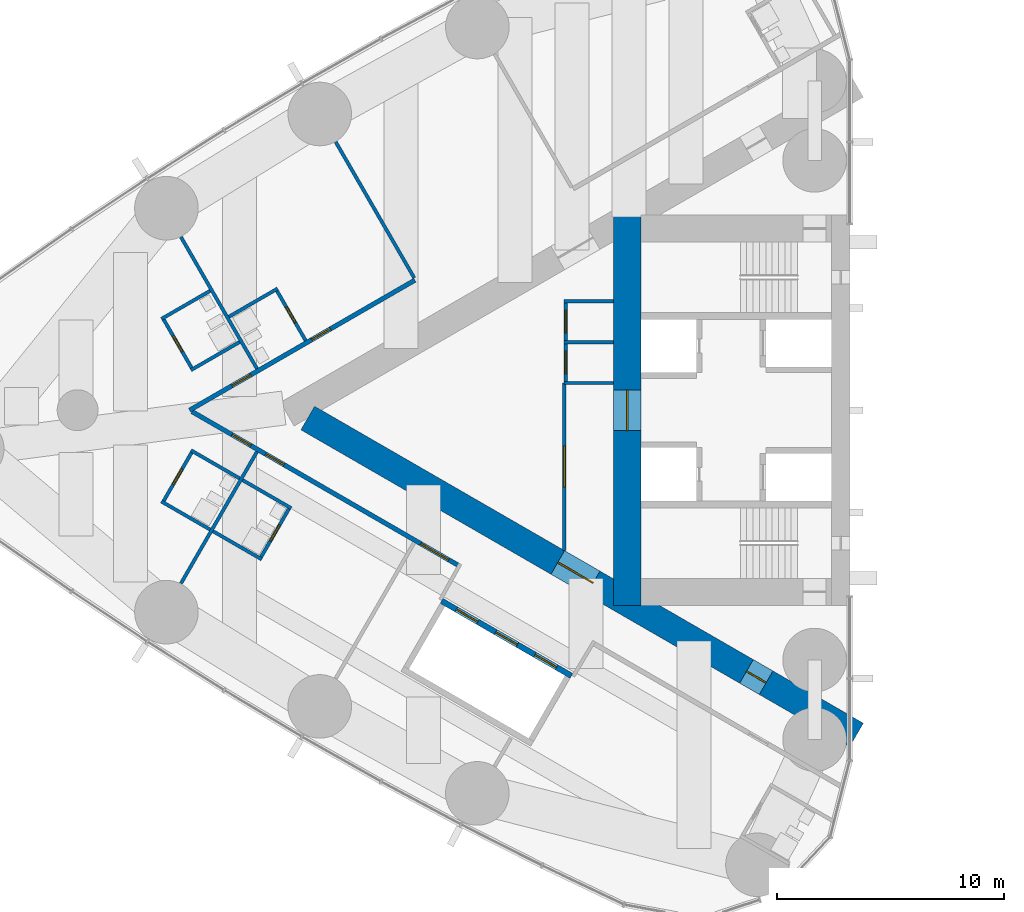
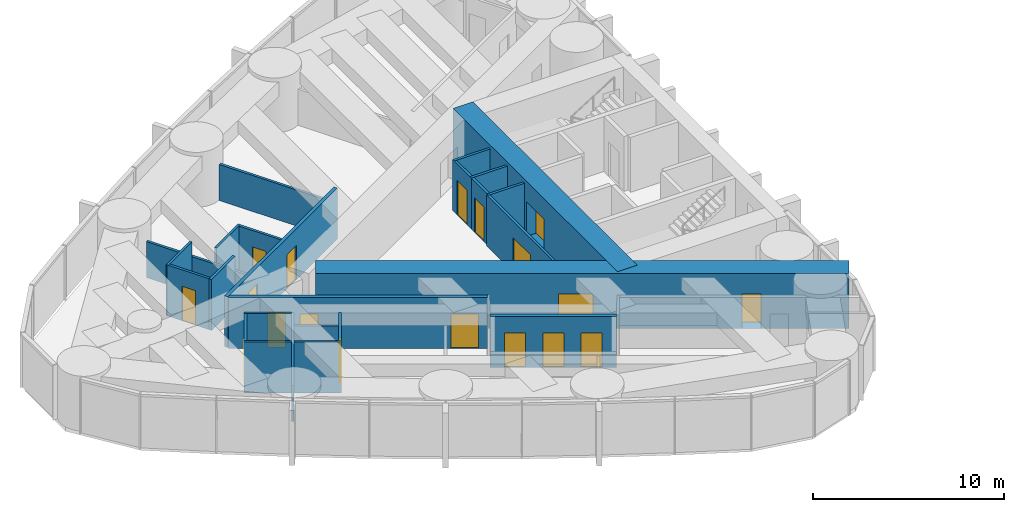
# One storey, part 12 of 19: 25 walls, 18 doors, 18 openings.
"""IFC4 building model written with IfcOpenShell, lengths in metres."""

from ifc_helpers import new_model, si_unit, direction, frame, frame_2d, origin, place, context, subcontext, project, spatial, rectangle, extrude, material, layer, layer_set, type_object, element, fill, save


model = new_model("IFC4")

# Units and contexts
model_context = context("Model", 3, precision=1e-05, world=origin(), true_north=direction((0.0, 1.0)))
body_context = subcontext(model_context, "Body", "Model", "MODEL_VIEW")
ifc_project = project(units=[si_unit("LENGTHUNIT", "METRE"), si_unit("AREAUNIT", "SQUARE_METRE"), si_unit("VOLUMEUNIT", "CUBIC_METRE"), si_unit("PLANEANGLEUNIT", "RADIAN"), si_unit("MASSUNIT", "GRAM", prefix="KILO")], contexts=[model_context])

# Site, building, storey
site_placement = place(None, origin())
site = spatial("IfcSite", under=ifc_project, at=site_placement, CompositionType="ELEMENT")
building_placement = place(site_placement, origin())
building = spatial("IfcBuilding", under=site, at=building_placement, Name="Lancet Gate Hotel", CompositionType="ELEMENT")
storey_placement = place(building_placement, frame((0.0, 0.0, 163.300048828125)))
storey = spatial("IfcBuildingStorey", under=building, at=storey_placement, Name="L43", CompositionType="ELEMENT", Elevation=163.300048828125)

# Wall
ifc_material_1 = material(Name="Moisture resistant board partition")
ifc_layer_1 = layer(ifc_material_1, 0.14990234375)
ifc_layer_set_1 = layer_set([ifc_layer_1], Name="Bathroom wall 150")
wall_type_1 = type_object("IfcWallType", Name="Bathroom wall 150", PredefinedType="PARTITIONING", material=ifc_layer_set_1)
wall_1_placement = place(storey_placement, frame((-52.693603515625, 5.354736328125, 0.0), z_axis=(0.0, 0.0, 1.0), x_axis=(-0.866031185235, -0.4999899861, 0.0)))
element("IfcWall", 1, at=wall_1_placement, inside=storey, type_object=wall_type_1, Name="T1 bathroom wall 150 L43", PredefinedType="PARTITIONING", context=body_context, shape_type="SweptSolid", body=[
    extrude(rectangle(XDim=2.47509765625, YDim=0.14990234375, at=frame_2d((1.237548828125, 0.0))), origin(), (0.0, 0.0, 1.0), 3.25),
])

# Wall, opening, door
wall_2_placement = place(storey_placement, frame((-51.458740234375, 3.0654296875, 0.0), z_axis=(0.0, 0.0, 1.0), x_axis=(-0.499936506574, 0.866062058628, 0.0)))
wall_2 = element("IfcWall", 2, at=wall_2_placement, inside=storey, type_object=wall_type_1, Name="T1 bathroom wall 150 L43", PredefinedType="PARTITIONING", context=body_context, shape_type="SweptSolid", body=[
    extrude(rectangle(XDim=2.599853515625, YDim=0.14990234375, at=frame_2d((1.2998046875, 0.0))), origin(), (0.0, 0.0, 1.0), 3.25),
])
opening_1_placement = place(wall_2_placement, frame((0.89990234375, 0.0, 0.0)))
opening_1 = element("IfcOpeningElement", 3, at=opening_1_placement, cuts=wall_2, Name="Opening 4303-B", PredefinedType="OPENING", context=body_context, shape_type="SweptSolid", body=[
    extrude(rectangle(XDim=0.800048828125, YDim=2.199951171875, at=frame_2d((0.39990234375, 1.10009765625))), frame((0.0, 0.0849609375, 0.0), z_axis=(0.0, -1.0, 0.0), x_axis=(1.0, 0.0, 0.0)), (0.0, 0.0, 1.0), 0.169921875),
])
ifc_material_2 = material(Name="Timber door set", Category="wood")
door_type_1 = type_object("IfcDoorType", Name="Bathroom door 800", OperationType="SINGLE_SWING_RIGHT", PredefinedType="DOOR", material=ifc_material_2)
door_1_placement = place(opening_1_placement, origin())
door_1 = element("IfcDoor", 4, at=door_1_placement, inside=storey, type_object=door_type_1, Name="4303-B", OperationType="SINGLE_SWING_RIGHT", OverallHeight=2.199951171875, OverallWidth=0.800048828125, PredefinedType="DOOR", context=body_context, shape_type="SweptSolid", body=[
    extrude(rectangle(XDim=0.800048828125, YDim=2.199951171875, at=frame_2d((0.39990234375, 1.10009765625))), frame((0.0, 0.02490234375, 0.0), z_axis=(0.0, -1.0, 0.0), x_axis=(1.0, 0.0, 0.0)), (0.0, 0.0, 1.0), 0.050048828125),
])
fill(opening_1, door_1)

# Wall
wall_3_placement = place(storey_placement, frame((-55.6669921875, 5.254638671875, 0.0), z_axis=(0.0, 0.0, 1.0), x_axis=(-0.866006523861, -0.500032699561, 0.0)))
element("IfcWall", 5, at=wall_3_placement, inside=storey, type_object=wall_type_1, Name="T1 bathroom wall 150 L43", PredefinedType="PARTITIONING", context=body_context, shape_type="SweptSolid", body=[
    extrude(rectangle(XDim=2.474853515625, YDim=0.14990234375, at=frame_2d((1.2373046875, 0.0))), origin(), (0.0, 0.0, 1.0), 3.25),
])

# Wall, opening, door
wall_4_placement = place(storey_placement, frame((-56.445556640625, 1.802978515625, 0.0), z_axis=(0.0, 0.0, 1.0), x_axis=(-0.499936506574, 0.866062058628, 0.0)))
wall_4 = element("IfcWall", 6, at=wall_4_placement, inside=storey, type_object=wall_type_1, Name="T1 bathroom wall 150 L43", PredefinedType="PARTITIONING", context=body_context, shape_type="SweptSolid", body=[
    extrude(rectangle(XDim=2.599853515625, YDim=0.14990234375, at=frame_2d((1.2998046875, 0.0))), origin(), (0.0, 0.0, 1.0), 3.25),
])
opening_2_placement = place(wall_4_placement, frame((0.89990234375, 0.0, 0.0)))
opening_2 = element("IfcOpeningElement", 7, at=opening_2_placement, cuts=wall_4, Name="Opening 4304-B", PredefinedType="OPENING", context=body_context, shape_type="SweptSolid", body=[
    extrude(rectangle(XDim=0.800048828125, YDim=2.199951171875, at=frame_2d((0.39990234375, 1.10009765625))), frame((0.0, 0.0849609375, 0.0), z_axis=(0.0, -1.0, 0.0), x_axis=(1.0, 0.0, 0.0)), (0.0, 0.0, 1.0), 0.169921875),
])
door_2_placement = place(opening_2_placement, origin())
door_2 = element("IfcDoor", 8, at=door_2_placement, inside=storey, type_object=door_type_1, Name="4304-B", OperationType="SINGLE_SWING_RIGHT", OverallHeight=2.199951171875, OverallWidth=0.800048828125, PredefinedType="DOOR", context=body_context, shape_type="SweptSolid", body=[
    extrude(rectangle(XDim=0.800048828125, YDim=2.199951171875, at=frame_2d((0.39990234375, 1.10009765625))), frame((0.0, 0.02490234375, 0.0), z_axis=(0.0, -1.0, 0.0), x_axis=(1.0, 0.0, 0.0)), (0.0, 0.0, 1.0), 0.050048828125),
])
fill(opening_2, door_2)

# Walls
wall_5_placement = place(storey_placement, frame((-54.366943359375, 3.0029296875, 0.0), z_axis=(0.0, 0.0, 1.0), x_axis=(-0.866031185235, -0.4999899861, 0.0)))
element("IfcWall", 9, at=wall_5_placement, inside=storey, type_object=wall_type_1, Name="T1 bathroom wall 150 L43", PredefinedType="PARTITIONING", context=body_context, shape_type="SweptSolid", body=[
    extrude(rectangle(XDim=2.47509765625, YDim=0.14990234375, at=frame_2d((1.237548828125, 0.0))), origin(), (0.0, 0.0, 1.0), 3.25),
])
wall_6_placement = place(storey_placement, frame((-55.6669921875, -5.254638671875, 0.0), z_axis=(0.0, 0.0, 1.0), x_axis=(-0.866006523861, 0.500032699561, 0.0)))
element("IfcWall", 10, at=wall_6_placement, inside=storey, type_object=wall_type_1, Name="T1 bathroom wall 150 L43", PredefinedType="PARTITIONING", context=body_context, shape_type="SweptSolid", body=[
    extrude(rectangle(XDim=2.474853515625, YDim=0.14990234375, at=frame_2d((1.2373046875, 0.0))), origin(), (0.0, 0.0, 1.0), 3.25),
])

# Wall, opening, door
wall_7_placement = place(storey_placement, frame((-56.445556640625, -1.802978515625, 0.0), z_axis=(0.0, 0.0, 1.0), x_axis=(-0.499936506574, -0.866062058628, 0.0)))
wall_7 = element("IfcWall", 11, at=wall_7_placement, inside=storey, type_object=wall_type_1, Name="T1 bathroom wall 150 L43", PredefinedType="PARTITIONING", context=body_context, shape_type="SweptSolid", body=[
    extrude(rectangle(XDim=2.599853515625, YDim=0.14990234375, at=frame_2d((1.2998046875, 0.0))), origin(), (0.0, 0.0, 1.0), 3.25),
])
opening_3_placement = place(wall_7_placement, frame((0.89990234375, 0.0, 0.0)))
opening_3 = element("IfcOpeningElement", 12, at=opening_3_placement, cuts=wall_7, Name="Opening 4305-B", PredefinedType="OPENING", context=body_context, shape_type="SweptSolid", body=[
    extrude(rectangle(XDim=0.800048828125, YDim=2.199951171875, at=frame_2d((0.39990234375, 1.10009765625))), frame((0.0, 0.0849609375, 0.0), z_axis=(0.0, -1.0, 0.0), x_axis=(1.0, 0.0, 0.0)), (0.0, 0.0, 1.0), 0.169921875),
])
door_3_placement = place(opening_3_placement, origin())
door_3 = element("IfcDoor", 13, at=door_3_placement, inside=storey, type_object=door_type_1, Name="4305-B", OperationType="SINGLE_SWING_RIGHT", OverallHeight=2.199951171875, OverallWidth=0.800048828125, PredefinedType="DOOR", context=body_context, shape_type="SweptSolid", body=[
    extrude(rectangle(XDim=0.800048828125, YDim=2.199951171875, at=frame_2d((0.39990234375, 1.10009765625))), frame((0.0, 0.02490234375, 0.0), z_axis=(0.0, -1.0, 0.0), x_axis=(1.0, 0.0, 0.0)), (0.0, 0.0, 1.0), 0.050048828125),
])
fill(opening_3, door_3)

# Walls
for number, where, z_axis, x_axis, name in (
    (14, (-54.366943359375, -3.0029296875, 0.0), (0.0, 0.0, 1.0), (-0.866031185235, 0.4999899861, 0.0), "T1 bathroom wall 150 L43"),
    (15, (-53.3935546875, -6.567138671875, 0.0), (0.0, 0.0, 1.0), (-0.866031185235, 0.4999899861, 0.0), "T1 bathroom wall 150 L43"),
):
    element("IfcWall", number, at=place(storey_placement, frame(where, z_axis=z_axis, x_axis=x_axis)), inside=storey, type_object=wall_type_1, Name=name, PredefinedType="PARTITIONING", context=body_context, shape_type="SweptSolid", body=[
        extrude(rectangle(XDim=2.47509765625, YDim=0.14990234375, at=frame_2d((1.237548828125, 0.0))), origin(), (0.0, 0.0, 1.0), 3.25),
    ])

# Wall, opening, door
wall_8_placement = place(storey_placement, frame((-52.15869140625, -4.278076171875, 0.0), z_axis=(0.0, 0.0, 1.0), x_axis=(-0.500047596559, -0.865997922154, 0.0)))
wall_8 = element("IfcWall", 16, at=wall_8_placement, inside=storey, type_object=wall_type_1, Name="T1 bathroom wall 150 L43", PredefinedType="PARTITIONING", context=body_context, shape_type="SweptSolid", body=[
    extrude(rectangle(XDim=2.599853515625, YDim=0.14990234375, at=frame_2d((1.2998046875, 0.0))), origin(), (0.0, 0.0, 1.0), 3.25),
])
opening_4_placement = place(wall_8_placement, frame((0.89990234375, 0.0, 0.0)))
opening_4 = element("IfcOpeningElement", 17, at=opening_4_placement, cuts=wall_8, Name="Opening 4306-B", PredefinedType="OPENING", context=body_context, shape_type="SweptSolid", body=[
    extrude(rectangle(XDim=0.800048828125, YDim=2.199951171875, at=frame_2d((0.39990234375, 1.10009765625))), frame((0.0, 0.0849609375, 0.0), z_axis=(0.0, -1.0, 0.0), x_axis=(1.0, 0.0, 0.0)), (0.0, 0.0, 1.0), 0.169921875),
])
door_4_placement = place(opening_4_placement, origin())
door_4 = element("IfcDoor", 18, at=door_4_placement, inside=storey, type_object=door_type_1, Name="4306-B", OperationType="SINGLE_SWING_RIGHT", OverallHeight=2.199951171875, OverallWidth=0.800048828125, PredefinedType="DOOR", context=body_context, shape_type="SweptSolid", body=[
    extrude(rectangle(XDim=0.800048828125, YDim=2.199951171875, at=frame_2d((0.39990234375, 1.10009765625))), frame((0.0, 0.02490234375, 0.0), z_axis=(0.0, -1.0, 0.0), x_axis=(1.0, 0.0, 0.0)), (0.0, 0.0, 1.0), 0.050048828125),
])
fill(opening_4, door_4)

# Wall
wall_9_placement = place(storey_placement, frame((-52.09375, -4.3154296875, 0.0), z_axis=(0.0, 0.0, 1.0), x_axis=(-0.866006523861, 0.500032699561, 0.0)))
element("IfcWall", 19, at=wall_9_placement, inside=storey, type_object=wall_type_1, Name="T1 bathroom wall 150 L43", PredefinedType="PARTITIONING", context=body_context, shape_type="SweptSolid", body=[
    extrude(rectangle(XDim=2.474853515625, YDim=0.14990234375, at=frame_2d((1.2373046875, 0.0))), origin(), (0.0, 0.0, 1.0), 2.449951171875),
])

# Wall, openings, doors
ifc_material_3 = material(Name="Concrete C70/85", Category="concrete")
ifc_layer_2 = layer(ifc_material_3, 1.199951171875)
ifc_layer_set_2 = layer_set([ifc_layer_2], Name="Buttress wall 1200")
wall_type_2 = type_object("IfcWallType", Name="Buttress wall 1200", PredefinedType="SHEAR", material=ifc_layer_set_2)
wall_10_placement = place(storey_placement, frame((-27.199951171875, -14.300048828125, 0.0), z_axis=(0.0, 0.0, 1.0), x_axis=(-0.866024021859, 0.500002393557, 0.0)))
wall_10 = element("IfcWall", 20, at=wall_10_placement, inside=storey, type_object=wall_type_2, Name="T1 buttress wall N L43", PredefinedType="SHEAR", context=body_context, shape_type="SweptSolid", body=[
    extrude(rectangle(XDim=27.906982421875, YDim=1.199951171875, at=frame_2d((13.95361328125, 0.0))), origin(), (0.0, 0.0, 1.0), 3.5),
])
opening_5_placement = place(wall_10_placement, frame((4.60009765625, 0.0, 0.0)))
opening_5 = element("IfcOpeningElement", 21, at=opening_5_placement, cuts=wall_10, Name="Opening T1-L43-LN", PredefinedType="OPENING", context=body_context, shape_type="SweptSolid", body=[
    extrude(rectangle(XDim=1.0, YDim=2.199951171875, at=frame_2d((0.5, 1.10009765625))), frame((0.0, 0.60986328125, 0.0), z_axis=(0.0, -1.0, 0.0), x_axis=(1.0, 0.0, 0.0)), (0.0, 0.0, 1.0), 1.219970703125),
])
opening_6_placement = place(wall_10_placement, frame((13.39453125, 0.0, 0.0)))
opening_6 = element("IfcOpeningElement", 22, at=opening_6_placement, cuts=wall_10, Name="Opening T1-L43-LHN", PredefinedType="OPENING", context=body_context, shape_type="SweptSolid", body=[
    extrude(rectangle(XDim=1.800048828125, YDim=2.199951171875, at=frame_2d((0.89990234375, 1.10009765625))), frame((0.0, 0.60986328125, 0.0), z_axis=(0.0, -1.0, 0.0), x_axis=(1.0, 0.0, 0.0)), (0.0, 0.0, 1.0), 1.219970703125),
])
ifc_material_4 = material(Name="Timber door set", Category="wood")
door_type_2 = type_object("IfcDoorType", Name="Lobby double door 1800", OperationType="DOUBLE_DOOR_SINGLE_SWING", PredefinedType="DOOR", material=ifc_material_4)
door_5_placement = place(opening_6_placement, origin())
door_5 = element("IfcDoor", 23, at=door_5_placement, inside=storey, type_object=door_type_2, Name="T1-L43-LHN", OperationType="DOUBLE_DOOR_SINGLE_SWING", OverallHeight=2.199951171875, OverallWidth=1.800048828125, PredefinedType="DOOR", context=body_context, shape_type="SweptSolid", body=[
    extrude(rectangle(XDim=1.800048828125, YDim=2.199951171875, at=frame_2d((0.89990234375, 1.10009765625))), frame((0.0, 0.02490234375, 0.0), z_axis=(0.0, -1.0, 0.0), x_axis=(1.0, 0.0, 0.0)), (0.0, 0.0, 1.0), 0.050048828125),
])
fill(opening_6, door_5)
ifc_material_5 = material(Name="Timber door set", Category="wood")
door_type_3 = type_object("IfcDoorType", Name="Stair lobby door 1000", OperationType="SINGLE_SWING_LEFT", PredefinedType="DOOR", material=ifc_material_5)
door_6_placement = place(opening_5_placement, origin())
door_6 = element("IfcDoor", 24, at=door_6_placement, inside=storey, type_object=door_type_3, Name="T1-L43-LN", OperationType="SINGLE_SWING_LEFT", OverallHeight=2.199951171875, OverallWidth=1.0, PredefinedType="DOOR", context=body_context, shape_type="SweptSolid", body=[
    extrude(rectangle(XDim=1.0, YDim=2.199951171875, at=frame_2d((0.5, 1.10009765625))), frame((0.0, 0.02490234375, 0.0), z_axis=(0.0, -1.0, 0.0), x_axis=(1.0, 0.0, 0.0)), (0.0, 0.0, 1.0), 0.050048828125),
])
fill(opening_5, door_6)

# Wall, opening, door
ifc_material_6 = material(Name="Concrete C70/85", Category="concrete")
ifc_layer_3 = layer(ifc_material_6, 1.199951171875)
ifc_layer_set_3 = layer_set([ifc_layer_3], Name="Core wall 1200")
wall_type_3 = type_object("IfcWallType", Name="Core wall 1200", PredefinedType="SHEAR", material=ifc_layer_set_3)
wall_11_placement = place(storey_placement, frame((-37.300048828125, 8.60009765625, 0.0), z_axis=(0.0, 0.0, 1.0), x_axis=(0.0, -1.0, 0.0)))
wall_11 = element("IfcWall", 25, at=wall_11_placement, inside=storey, type_object=wall_type_3, Name="T1 core wall back L43", PredefinedType="SHEAR", context=body_context, shape_type="SweptSolid", body=[
    extrude(rectangle(XDim=17.2001953125, YDim=1.199951171875, at=frame_2d((8.60009765625, 0.0))), origin(), (0.0, 0.0, 1.0), 3.5),
])
opening_7_placement = place(wall_11_placement, frame((7.699951171875, 0.0, 0.0)))
opening_7 = element("IfcOpeningElement", 26, at=opening_7_placement, cuts=wall_11, Name="Opening T1-L43-LL", PredefinedType="OPENING", context=body_context, shape_type="SweptSolid", body=[
    extrude(rectangle(XDim=1.800048828125, YDim=2.199951171875, at=frame_2d((0.89990234375, 1.10009765625))), frame((0.0, 0.60986328125, 0.0), z_axis=(0.0, -1.0, 0.0), x_axis=(1.0, 0.0, 0.0)), (0.0, 0.0, 1.0), 1.219970703125),
])
door_7_placement = place(opening_7_placement, origin())
door_7 = element("IfcDoor", 27, at=door_7_placement, inside=storey, type_object=door_type_2, Name="T1-L43-LL", OperationType="DOUBLE_DOOR_SINGLE_SWING", OverallHeight=2.199951171875, OverallWidth=1.800048828125, PredefinedType="DOOR", context=body_context, shape_type="SweptSolid", body=[
    extrude(rectangle(XDim=1.800048828125, YDim=2.199951171875, at=frame_2d((0.89990234375, 1.10009765625))), frame((0.0, 0.02490234375, 0.0), z_axis=(0.0, -1.0, 0.0), x_axis=(1.0, 0.0, 0.0)), (0.0, 0.0, 1.0), 0.050048828125),
])
fill(opening_7, door_7)

# Wall, openings, doors
ifc_material_7 = material(Name="Gypsum board partition")
ifc_layer_4 = layer(ifc_material_7, 0.199951171875)
ifc_layer_set_4 = layer_set([ifc_layer_4], Name="Corridor wall 200")
wall_type_4 = type_object("IfcWallType", Name="Corridor wall 200", PredefinedType="PARTITIONING", material=ifc_layer_set_4)
wall_12_placement = place(storey_placement, frame((-44.715087890625, -6.843505859375, 0.0), z_axis=(0.0, 0.0, 1.0), x_axis=(-0.866025261224, 0.500000246922, 0.0)))
wall_12 = element("IfcWall", 28, at=wall_12_placement, inside=storey, type_object=wall_type_4, Name="T1 corridor wall 200 L43", PredefinedType="PARTITIONING", context=body_context, shape_type="SweptSolid", body=[
    extrude(rectangle(XDim=13.56689453125, YDim=0.199951171875, at=frame_2d((6.783447265625, 0.0))), origin(), (0.0, 0.0, 1.0), 3.25),
])
opening_8_placement = place(wall_12_placement, frame((10.5791015625, 0.0, 0.0)))
opening_8 = element("IfcOpeningElement", 29, at=opening_8_placement, cuts=wall_12, Name="Opening 4305-E", PredefinedType="OPENING", context=body_context, shape_type="SweptSolid", body=[
    extrude(rectangle(XDim=0.949951171875, YDim=2.199951171875, at=frame_2d((0.47509765625, 1.10009765625))), frame((0.0, 0.10986328125, 0.0), z_axis=(0.0, -1.0, 0.0), x_axis=(1.0, 0.0, 0.0)), (0.0, 0.0, 1.0), 0.219970703125),
])
opening_9_placement = place(wall_12_placement, frame((8.879150390625, 0.0, 0.0)))
opening_9 = element("IfcOpeningElement", 30, at=opening_9_placement, cuts=wall_12, Name="Opening 4306-E", PredefinedType="OPENING", context=body_context, shape_type="SweptSolid", body=[
    extrude(rectangle(XDim=0.949951171875, YDim=2.199951171875, at=frame_2d((0.47509765625, 1.10009765625))), frame((0.0, 0.10986328125, 0.0), z_axis=(0.0, -1.0, 0.0), x_axis=(1.0, 0.0, 0.0)), (0.0, 0.0, 1.0), 0.219970703125),
])
opening_10_placement = place(wall_12_placement, frame((0.5, 0.0, 0.0)))
opening_10 = element("IfcOpeningElement", 31, at=opening_10_placement, cuts=wall_12, Name="Opening T1-L43-LO1", PredefinedType="OPENING", context=body_context, shape_type="SweptSolid", body=[
    extrude(rectangle(XDim=1.43505859375, YDim=2.199951171875, at=frame_2d((0.717529296875, 1.10009765625))), frame((0.0, 0.10986328125, 0.0), z_axis=(0.0, -1.0, 0.0), x_axis=(1.0, 0.0, 0.0)), (0.0, 0.0, 1.0), 0.219970703125),
])
ifc_material_8 = material(Name="Timber door set", Category="wood")
door_type_4 = type_object("IfcDoorType", Name="Guest room entry door 950", OperationType="SINGLE_SWING_LEFT", PredefinedType="DOOR", material=ifc_material_8)
door_8_placement = place(opening_8_placement, origin())
door_8 = element("IfcDoor", 32, at=door_8_placement, inside=storey, type_object=door_type_4, Name="4305-E", OperationType="SINGLE_SWING_LEFT", OverallHeight=2.199951171875, OverallWidth=0.949951171875, PredefinedType="DOOR", context=body_context, shape_type="SweptSolid", body=[
    extrude(rectangle(XDim=0.949951171875, YDim=2.199951171875, at=frame_2d((0.47509765625, 1.10009765625))), frame((0.0, 0.02490234375, 0.0), z_axis=(0.0, -1.0, 0.0), x_axis=(1.0, 0.0, 0.0)), (0.0, 0.0, 1.0), 0.050048828125),
])
fill(opening_8, door_8)
door_9_placement = place(opening_9_placement, origin())
door_9 = element("IfcDoor", 33, at=door_9_placement, inside=storey, type_object=door_type_4, Name="4306-E", OperationType="SINGLE_SWING_LEFT", OverallHeight=2.199951171875, OverallWidth=0.949951171875, PredefinedType="DOOR", context=body_context, shape_type="SweptSolid", body=[
    extrude(rectangle(XDim=0.949951171875, YDim=2.199951171875, at=frame_2d((0.47509765625, 1.10009765625))), frame((0.0, 0.02490234375, 0.0), z_axis=(0.0, -1.0, 0.0), x_axis=(1.0, 0.0, 0.0)), (0.0, 0.0, 1.0), 0.050048828125),
])
fill(opening_9, door_9)
door_10_placement = place(opening_10_placement, origin())
door_10 = element("IfcDoor", 34, at=door_10_placement, inside=storey, type_object=door_type_4, Name="T1-L43-LO1", OperationType="SINGLE_SWING_LEFT", OverallHeight=2.199951171875, OverallWidth=1.43505859375, PredefinedType="DOOR", context=body_context, shape_type="SweptSolid", body=[
    extrude(rectangle(XDim=1.43505859375, YDim=2.199951171875, at=frame_2d((0.717529296875, 1.10009765625))), frame((0.0, 0.02490234375, 0.0), z_axis=(0.0, -1.0, 0.0), x_axis=(1.0, 0.0, 0.0)), (0.0, 0.0, 1.0), 0.050048828125),
])
fill(opening_10, door_10)

wall_13_placement = place(storey_placement, frame((-46.650390625, 5.72607421875, 0.0), z_axis=(0.0, 0.0, 1.0), x_axis=(-0.866027963864, -0.499995565786, 0.0)))
wall_13 = element("IfcWall", 35, at=wall_13_placement, inside=storey, type_object=wall_type_4, Name="T1 corridor wall 200 L43", PredefinedType="PARTITIONING", context=body_context, shape_type="SweptSolid", body=[
    extrude(rectangle(XDim=11.4521484375, YDim=0.199951171875, at=frame_2d((5.72607421875, 0.0))), origin(), (0.0, 0.0, 1.0), 3.25),
])
opening_11_placement = place(wall_13_placement, frame((4.294189453125, 0.0, 0.0)))
opening_11 = element("IfcOpeningElement", 36, at=opening_11_placement, cuts=wall_13, Name="Opening 4303-E", PredefinedType="OPENING", context=body_context, shape_type="SweptSolid", body=[
    extrude(rectangle(XDim=0.949951171875, YDim=2.199951171875, at=frame_2d((0.47509765625, 1.10009765625))), frame((0.0, 0.10986328125, 0.0), z_axis=(0.0, -1.0, 0.0), x_axis=(1.0, 0.0, 0.0)), (0.0, 0.0, 1.0), 0.219970703125),
])
opening_12_placement = place(wall_13_placement, frame((8.34423828125, 0.0, 0.0)))
opening_12 = element("IfcOpeningElement", 37, at=opening_12_placement, cuts=wall_13, Name="Opening 4304-E", PredefinedType="OPENING", context=body_context, shape_type="SweptSolid", body=[
    extrude(rectangle(XDim=0.949951171875, YDim=2.199951171875, at=frame_2d((0.47509765625, 1.10009765625))), frame((0.0, 0.10986328125, 0.0), z_axis=(0.0, -1.0, 0.0), x_axis=(1.0, 0.0, 0.0)), (0.0, 0.0, 1.0), 0.219970703125),
])
door_11_placement = place(opening_11_placement, origin())
door_11 = element("IfcDoor", 38, at=door_11_placement, inside=storey, type_object=door_type_4, Name="4303-E", OperationType="SINGLE_SWING_LEFT", OverallHeight=2.199951171875, OverallWidth=0.949951171875, PredefinedType="DOOR", context=body_context, shape_type="SweptSolid", body=[
    extrude(rectangle(XDim=0.949951171875, YDim=2.199951171875, at=frame_2d((0.47509765625, 1.10009765625))), frame((0.0, 0.02490234375, 0.0), z_axis=(0.0, -1.0, 0.0), x_axis=(1.0, 0.0, 0.0)), (0.0, 0.0, 1.0), 0.050048828125),
])
fill(opening_11, door_11)
door_12_placement = place(opening_12_placement, origin())
door_12 = element("IfcDoor", 39, at=door_12_placement, inside=storey, type_object=door_type_4, Name="4304-E", OperationType="SINGLE_SWING_LEFT", OverallHeight=2.199951171875, OverallWidth=0.949951171875, PredefinedType="DOOR", context=body_context, shape_type="SweptSolid", body=[
    extrude(rectangle(XDim=0.949951171875, YDim=2.199951171875, at=frame_2d((0.47509765625, 1.10009765625))), frame((0.0, 0.02490234375, 0.0), z_axis=(0.0, -1.0, 0.0), x_axis=(1.0, 0.0, 0.0)), (0.0, 0.0, 1.0), 0.050048828125),
])
fill(opening_12, door_12)

ifc_material_9 = material(Name="Gypsum board partition")
ifc_layer_5 = layer(ifc_material_9, 0.25)
ifc_layer_set_5 = layer_set([ifc_layer_5], Name="Lift shaft partition 250")
wall_type_5 = type_object("IfcWallType", Name="Lift shaft partition 250", PredefinedType="PARTITIONING", material=ifc_layer_set_5)
wall_14_placement = place(storey_placement, frame((-39.757568359375, -11.697265625, 0.0), z_axis=(0.0, 0.0, 1.0), x_axis=(-0.866024194504, 0.500002094529, 0.0)))
wall_14 = element("IfcWall", 40, at=wall_14_placement, inside=storey, type_object=wall_type_5, Name="T1 lift shaft wall HL L43", PredefinedType="PARTITIONING", context=body_context, shape_type="SweptSolid", body=[
    extrude(rectangle(XDim=6.60009765625, YDim=0.25, at=frame_2d((3.300048828125, 0.0))), origin(), (0.0, 0.0, 1.0), 3.25),
])
opening_13_placement = place(wall_14_placement, frame((0.75, 0.0, 0.0)))
opening_13 = element("IfcOpeningElement", 41, at=opening_13_placement, cuts=wall_14, Name="Opening T1-HL1-L43", PredefinedType="OPENING", context=body_context, shape_type="SweptSolid", body=[
    extrude(rectangle(XDim=1.10009765625, YDim=2.199951171875, at=frame_2d((0.550048828125, 1.10009765625))), frame((0.0, 0.135009765625, 0.0), z_axis=(0.0, -1.0, 0.0), x_axis=(1.0, 0.0, 0.0)), (0.0, 0.0, 1.0), 0.27001953125),
])
opening_14_placement = place(wall_14_placement, frame((2.75, 0.0, 0.0)))
opening_14 = element("IfcOpeningElement", 42, at=opening_14_placement, cuts=wall_14, Name="Opening T1-HL2-L43", PredefinedType="OPENING", context=body_context, shape_type="SweptSolid", body=[
    extrude(rectangle(XDim=1.10009765625, YDim=2.199951171875, at=frame_2d((0.550048828125, 1.10009765625))), frame((0.0, 0.135009765625, 0.0), z_axis=(0.0, -1.0, 0.0), x_axis=(1.0, 0.0, 0.0)), (0.0, 0.0, 1.0), 0.27001953125),
])
opening_15_placement = place(wall_14_placement, frame((4.75, 0.0, 0.0)))
opening_15 = element("IfcOpeningElement", 43, at=opening_15_placement, cuts=wall_14, Name="Opening T1-HL3-L43", PredefinedType="OPENING", context=body_context, shape_type="SweptSolid", body=[
    extrude(rectangle(XDim=1.10009765625, YDim=2.199951171875, at=frame_2d((0.550048828125, 1.10009765625))), frame((0.0, 0.135009765625, 0.0), z_axis=(0.0, -1.0, 0.0), x_axis=(1.0, 0.0, 0.0)), (0.0, 0.0, 1.0), 0.27001953125),
])
ifc_material_10 = material(Name="Steel door set", Category="steel")
door_type_5 = type_object("IfcDoorType", Name="Lift landing door 1100", OperationType="DOUBLE_DOOR_SLIDING", PredefinedType="USERDEFINED", material=ifc_material_10)
door_13_placement = place(opening_13_placement, origin())
door_13 = element("IfcDoor", 44, at=door_13_placement, inside=storey, type_object=door_type_5, Name="T1-HL1-L43", ObjectType="LIFT LANDING DOOR", OperationType="DOUBLE_DOOR_SLIDING", OverallHeight=2.199951171875, OverallWidth=1.10009765625, PredefinedType="USERDEFINED", context=body_context, shape_type="SweptSolid", body=[
    extrude(rectangle(XDim=1.10009765625, YDim=2.199951171875, at=frame_2d((0.550048828125, 1.10009765625))), frame((0.0, 0.02490234375, 0.0), z_axis=(0.0, -1.0, 0.0), x_axis=(1.0, 0.0, 0.0)), (0.0, 0.0, 1.0), 0.050048828125),
])
fill(opening_13, door_13)
door_14_placement = place(opening_14_placement, origin())
door_14 = element("IfcDoor", 45, at=door_14_placement, inside=storey, type_object=door_type_5, Name="T1-HL2-L43", ObjectType="LIFT LANDING DOOR", OperationType="DOUBLE_DOOR_SLIDING", OverallHeight=2.199951171875, OverallWidth=1.10009765625, PredefinedType="USERDEFINED", context=body_context, shape_type="SweptSolid", body=[
    extrude(rectangle(XDim=1.10009765625, YDim=2.199951171875, at=frame_2d((0.550048828125, 1.10009765625))), frame((0.0, 0.02490234375, 0.0), z_axis=(0.0, -1.0, 0.0), x_axis=(1.0, 0.0, 0.0)), (0.0, 0.0, 1.0), 0.050048828125),
])
fill(opening_14, door_14)
door_15_placement = place(opening_15_placement, origin())
door_15 = element("IfcDoor", 46, at=door_15_placement, inside=storey, type_object=door_type_5, Name="T1-HL3-L43", ObjectType="LIFT LANDING DOOR", OperationType="DOUBLE_DOOR_SLIDING", OverallHeight=2.199951171875, OverallWidth=1.10009765625, PredefinedType="USERDEFINED", context=body_context, shape_type="SweptSolid", body=[
    extrude(rectangle(XDim=1.10009765625, YDim=2.199951171875, at=frame_2d((0.550048828125, 1.10009765625))), frame((0.0, 0.02490234375, 0.0), z_axis=(0.0, -1.0, 0.0), x_axis=(1.0, 0.0, 0.0)), (0.0, 0.0, 1.0), 0.050048828125),
])
fill(opening_15, door_15)

# Walls
ifc_material_11 = material(Name="Gypsum board partition")
ifc_layer_6 = layer(ifc_material_11, 0.14990234375)
ifc_layer_set_6 = layer_set([ifc_layer_6], Name="Party wall 150")
wall_type_6 = type_object("IfcWallType", Name="Party wall 150", PredefinedType="PARTITIONING", material=ifc_layer_set_6)
wall_15_placement = place(storey_placement, frame((-46.6787109375, 5.8251953125, 0.0), z_axis=(0.0, 0.0, 1.0), x_axis=(-0.500006839597, 0.866021454905, 0.0)))
element("IfcWall", 47, at=wall_15_placement, inside=storey, type_object=wall_type_6, Name="T1 party wall 150 L43", PredefinedType="PARTITIONING", context=body_context, shape_type="SweptSolid", body=[
    extrude(rectangle(XDim=6.9111328125, YDim=0.14990234375, at=frame_2d((3.45556640625, 0.0))), origin(), (0.0, 0.0, 1.0), 2.300048828125),
])
for number, where, z_axis, x_axis, name in (
    (48, (-53.60205078125, 1.828125, 0.0), (0.0, 0.0, 1.0), (-0.49999191814, 0.866030069798, 0.0), "T1 party wall 150 L43"),
    (49, (-53.60205078125, -1.828125, 0.0), (0.0, 0.0, 1.0), (-0.49999191814, -0.866030069798, 0.0), "T1 party wall 150 L43"),
):
    element("IfcWall", number, at=place(storey_placement, frame(where, z_axis=z_axis, x_axis=x_axis)), inside=storey, type_object=wall_type_6, Name=name, PredefinedType="PARTITIONING", context=body_context, shape_type="SweptSolid", body=[
        extrude(rectangle(XDim=6.6923828125, YDim=0.14990234375, at=frame_2d((3.34619140625, 0.0))), origin(), (0.0, 0.0, 1.0), 2.300048828125),
    ])
ifc_material_12 = material(Name="Gypsum board partition")
ifc_layer_7 = layer(ifc_material_12, 0.14990234375)
ifc_layer_set_7 = layer_set([ifc_layer_7], Name="Service room wall 150")
wall_type_7 = type_object("IfcWallType", Name="Service room wall 150", PredefinedType="PARTITIONING", material=ifc_layer_set_7)
for number, where, z_axis, x_axis, name in (
    (50, (-37.89990234375, 1.199951171875, 0.0), (0.0, 0.0, 1.0), (-1.0, 0.0, 0.0), "T1 service room wall 150 L43"),
    (51, (-37.89990234375, 3.0, 0.0), (0.0, 0.0, 1.0), (-1.0, 0.0, 0.0), "T1 service room wall 150 L43"),
    (52, (-37.89990234375, 4.800048828125, 0.0), (0.0, 0.0, 1.0), (-1.0, 0.0, 0.0), "T1 service room wall 150 L43"),
):
    element("IfcWall", number, at=place(storey_placement, frame(where, z_axis=z_axis, x_axis=x_axis)), inside=storey, type_object=wall_type_7, Name=name, PredefinedType="PARTITIONING", context=body_context, shape_type="SweptSolid", body=[
        extrude(rectangle(XDim=2.175048828125, YDim=0.14990234375, at=frame_2d((1.08740234375, 0.0))), origin(), (0.0, 0.0, 1.0), 3.25),
    ])

# Wall, opening, door
wall_16_placement = place(storey_placement, frame((-40.0, 3.074951171875, 0.0), z_axis=(0.0, 0.0, 1.0), x_axis=(0.0, -1.0, 0.0)))
wall_16 = element("IfcWall", 53, at=wall_16_placement, inside=storey, type_object=wall_type_7, Name="T1 service room wall 150 L43", PredefinedType="PARTITIONING", context=body_context, shape_type="SweptSolid", body=[
    extrude(rectangle(XDim=1.949951171875, YDim=0.14990234375, at=frame_2d((0.97509765625, 0.0))), origin(), (0.0, 0.0, 1.0), 3.25),
])
opening_16_placement = place(wall_16_placement, frame((0.47509765625, 0.0, 0.0)))
opening_16 = element("IfcOpeningElement", 54, at=opening_16_placement, cuts=wall_16, Name="Opening T1-L43-HRS0", PredefinedType="OPENING", context=body_context, shape_type="SweptSolid", body=[
    extrude(rectangle(XDim=1.0, YDim=2.199951171875, at=frame_2d((0.5, 1.10009765625))), frame((0.0, 0.0849609375, 0.0), z_axis=(0.0, -1.0, 0.0), x_axis=(1.0, 0.0, 0.0)), (0.0, 0.0, 1.0), 0.169921875),
])
ifc_material_13 = material(Name="Timber door set", Category="wood")
door_type_6 = type_object("IfcDoorType", Name="Service door 1000", OperationType="SINGLE_SWING_LEFT", PredefinedType="DOOR", material=ifc_material_13)
door_16_placement = place(opening_16_placement, origin())
door_16 = element("IfcDoor", 55, at=door_16_placement, inside=storey, type_object=door_type_6, Name="T1-L43-HRS0", OperationType="SINGLE_SWING_LEFT", OverallHeight=2.199951171875, OverallWidth=1.0, PredefinedType="DOOR", context=body_context, shape_type="SweptSolid", body=[
    extrude(rectangle(XDim=1.0, YDim=2.199951171875, at=frame_2d((0.5, 1.10009765625))), frame((0.0, 0.02490234375, 0.0), z_axis=(0.0, -1.0, 0.0), x_axis=(1.0, 0.0, 0.0)), (0.0, 0.0, 1.0), 0.050048828125),
])
fill(opening_16, door_16)

wall_17_placement = place(storey_placement, frame((-40.0, 4.875, 0.0), z_axis=(0.0, 0.0, 1.0), x_axis=(0.0, -1.0, 0.0)))
wall_17 = element("IfcWall", 56, at=wall_17_placement, inside=storey, type_object=wall_type_7, Name="T1 service room wall 150 L43", PredefinedType="PARTITIONING", context=body_context, shape_type="SweptSolid", body=[
    extrude(rectangle(XDim=1.949951171875, YDim=0.14990234375, at=frame_2d((0.97509765625, 0.0))), origin(), (0.0, 0.0, 1.0), 3.25),
])
opening_17_placement = place(wall_17_placement, frame((0.47509765625, 0.0, 0.0)))
opening_17 = element("IfcOpeningElement", 57, at=opening_17_placement, cuts=wall_17, Name="Opening T1-L43-HRS1", PredefinedType="OPENING", context=body_context, shape_type="SweptSolid", body=[
    extrude(rectangle(XDim=1.0, YDim=2.199951171875, at=frame_2d((0.5, 1.10009765625))), frame((0.0, 0.0849609375, 0.0), z_axis=(0.0, -1.0, 0.0), x_axis=(1.0, 0.0, 0.0)), (0.0, 0.0, 1.0), 0.169921875),
])
door_17_placement = place(opening_17_placement, origin())
door_17 = element("IfcDoor", 58, at=door_17_placement, inside=storey, type_object=door_type_6, Name="T1-L43-HRS1", OperationType="SINGLE_SWING_LEFT", OverallHeight=2.199951171875, OverallWidth=1.0, PredefinedType="DOOR", context=body_context, shape_type="SweptSolid", body=[
    extrude(rectangle(XDim=1.0, YDim=2.199951171875, at=frame_2d((0.5, 1.10009765625))), frame((0.0, 0.02490234375, 0.0), z_axis=(0.0, -1.0, 0.0), x_axis=(1.0, 0.0, 0.0)), (0.0, 0.0, 1.0), 0.050048828125),
])
fill(opening_17, door_17)

wall_18_placement = place(storey_placement, frame((-40.074951171875, 1.199951171875, 0.0), z_axis=(0.0, 0.0, 1.0), x_axis=(0.0, -1.0, 0.0)))
wall_18 = element("IfcWall", 59, at=wall_18_placement, inside=storey, type_object=wall_type_7, Name="T1 service room wall 150 L43", PredefinedType="PARTITIONING", context=body_context, shape_type="SweptSolid", body=[
    extrude(rectangle(XDim=7.373779296875, YDim=0.14990234375, at=frame_2d((3.68701171875, 0.0))), origin(), (0.0, 0.0, 1.0), 3.25),
])
opening_18_placement = place(wall_18_placement, frame((2.786865234375, 0.0, 0.0)))
opening_18 = element("IfcOpeningElement", 60, at=opening_18_placement, cuts=wall_18, Name="Opening T1-L43-LH", PredefinedType="OPENING", context=body_context, shape_type="SweptSolid", body=[
    extrude(rectangle(XDim=1.800048828125, YDim=2.199951171875, at=frame_2d((0.89990234375, 1.10009765625))), frame((0.0, 0.0849609375, 0.0), z_axis=(0.0, -1.0, 0.0), x_axis=(1.0, 0.0, 0.0)), (0.0, 0.0, 1.0), 0.169921875),
])
door_18_placement = place(opening_18_placement, origin())
door_18 = element("IfcDoor", 61, at=door_18_placement, inside=storey, type_object=door_type_2, Name="T1-L43-LH", OperationType="DOUBLE_DOOR_SINGLE_SWING", OverallHeight=2.199951171875, OverallWidth=1.800048828125, PredefinedType="DOOR", context=body_context, shape_type="SweptSolid", body=[
    extrude(rectangle(XDim=1.800048828125, YDim=2.199951171875, at=frame_2d((0.89990234375, 1.10009765625))), frame((0.0, 0.02490234375, 0.0), z_axis=(0.0, -1.0, 0.0), x_axis=(1.0, 0.0, 0.0)), (0.0, 0.0, 1.0), 0.050048828125),
])
fill(opening_18, door_18)

save(model, "model.ifc")
